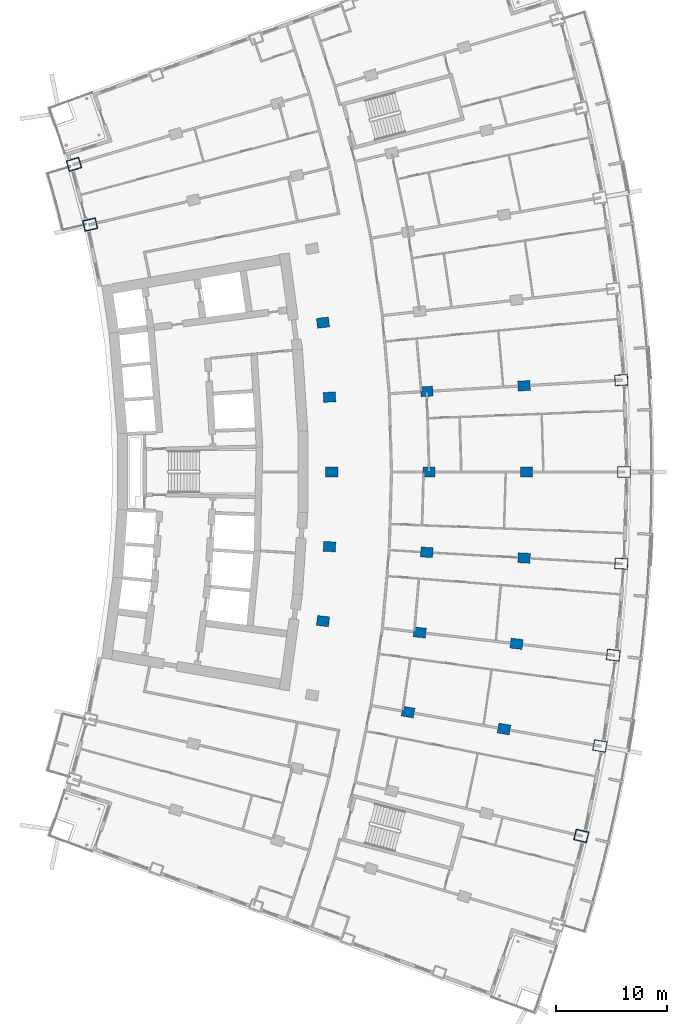
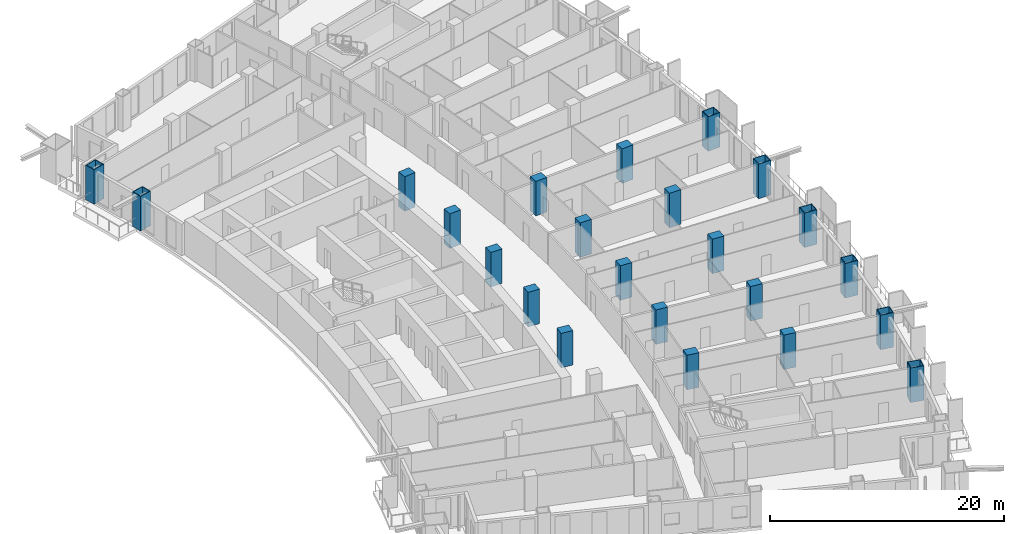
# One storey, part 5 of 23: 23 columns.
"""IFC4 building model written with IfcOpenShell, lengths in metres."""

from ifc_helpers import new_model, si_unit, direction, frame, origin, origin_2d, place, context, subcontext, project, spatial, rectangle, hollow_rectangle, extrude, material, material_profile, profile_set, type_object, element, save


model = new_model("IFC4")

# Units and contexts
model_context = context("Model", 3, precision=1e-05, world=origin(), true_north=direction((0.0, 1.0)))
body_context = subcontext(model_context, "Body", "Model", "MODEL_VIEW")
ifc_project = project(units=[si_unit("LENGTHUNIT", "METRE"), si_unit("AREAUNIT", "SQUARE_METRE"), si_unit("VOLUMEUNIT", "CUBIC_METRE"), si_unit("PLANEANGLEUNIT", "RADIAN"), si_unit("MASSUNIT", "GRAM", prefix="KILO")], contexts=[model_context])

# Site, building, storey
site_placement = place(None, origin())
site = spatial("IfcSite", under=ifc_project, at=site_placement, CompositionType="ELEMENT")
building_placement = place(site_placement, origin())
building = spatial("IfcBuilding", under=site, at=building_placement, Name="Alderwake Tower", CompositionType="ELEMENT")
storey_placement = place(building_placement, frame((0.0, 0.0, 71.60009765625)))
storey = spatial("IfcBuildingStorey", under=building, at=storey_placement, Name="L17", CompositionType="ELEMENT", Elevation=71.60009765625)

# Columns
ifc_material_1 = material(Name="Concrete C70/85", Category="concrete")
ifc_material_profile_1 = material_profile(ifc_material_1, rectangle(XDim=0.89990234375, YDim=1.10009765625, at=origin_2d()), Name="RC 1100X900")
ifc_profile_set_1 = profile_set([ifc_material_profile_1], Name="Concrete C70/85")
column_type_1 = type_object("IfcColumnType", Name="Interior column Z1", PredefinedType="COLUMN", material=ifc_profile_set_1)
for number, where, z_axis, x_axis, name in (
    (1, (42.697021484375, 39.30615234375, 0.0), (0.0, 0.0, 1.0), (0.174108800747, 0.984726421654, 0.0), "Column R04-C3"),
    (2, (51.362548828125, 37.77392578125, 0.0), (0.0, 0.0, 1.0), (0.174108800747, 0.984726421654, 0.0), "Column R04-C4"),
    (3, (35.0126953125, 47.5205078125, 0.0), (0.0, 0.0, 1.0), (0.116402054316, 0.993202175668, 0.0), "Column R05-C2"),
    (4, (43.7529296875, 46.496337890625, 0.0), (0.0, 0.0, 1.0), (0.116402054316, 0.993202175668, 0.0), "Column R05-C3"),
    (5, (52.4931640625, 45.471923828125, 0.0), (0.0, 0.0, 1.0), (0.116402054316, 0.993202175668, 0.0), "Column R05-C4"),
    (6, (35.60302734375, 54.248779296875, 0.0), (0.0, 0.0, 1.0), (0.058301061284, 0.998299046505, 0.0), "Column R06-C2"),
    (7, (44.38818359375, 53.73583984375, 0.0), (0.0, 0.0, 1.0), (0.058299318924, 0.998299148258, 0.0), "Column R06-C3"),
    (8, (53.173095703125, 53.22265625, 0.0), (0.0, 0.0, 1.0), (0.058301061284, 0.998299046505, 0.0), "Column R06-C4"),
    (9, (35.800048828125, 61.0, 0.0), (0.0, 0.0, 1.0), (0.0, 1.0, 0.0), "Column R07-C2"),
    (10, (44.60009765625, 61.0, 0.0), (0.0, 0.0, 1.0), (0.0, 1.0, 0.0), "Column R07-C3"),
    (11, (53.39990234375, 61.0, 0.0), (0.0, 0.0, 1.0), (0.0, 1.0, 0.0), "Column R07-C4"),
    (12, (35.60302734375, 67.751220703125, 0.0), (0.0, 0.0, 1.0), (-0.058301061284, 0.998299046505, 0.0), "Column R08-C2"),
    (13, (44.38818359375, 68.26416015625, 0.0), (0.0, 0.0, 1.0), (-0.058299318924, 0.998299148258, 0.0), "Column R08-C3"),
    (14, (53.173095703125, 68.77734375, 0.0), (0.0, 0.0, 1.0), (-0.058301061284, 0.998299046505, 0.0), "Column R08-C4"),
    (15, (35.0126953125, 74.4794921875, 0.0), (0.0, 0.0, 1.0), (-0.116402054316, 0.993202175668, 0.0), "Column R09-C2"),
):
    element("IfcColumn", number, at=place(storey_placement, frame(where, z_axis=z_axis, x_axis=x_axis)), inside=storey, type_object=column_type_1, Name=name, PredefinedType="COLUMN", context=body_context, shape_type="SweptSolid", body=[
        extrude(rectangle(XDim=0.89990234375, YDim=1.10009765625, at=origin_2d()), origin(), (0.0, 0.0, 1.0), 3.599853515625),
    ])
ifc_material_2 = material(Name="Steel ASTM A572 Grade 50 concrete filled C70/85", Category="concrete")
ifc_material_profile_2 = material_profile(ifc_material_2, hollow_rectangle(XDim=1.0, YDim=1.199951171875, WallThickness=0.06005859375, at=origin_2d()), Name="BOX 1200X1000X60")
ifc_profile_set_2 = profile_set([ifc_material_profile_2], Name="Steel ASTM A572 Grade 50 concrete filled C70/85")
column_type_2 = type_object("IfcColumnType", Name="Perimeter column Z1", PredefinedType="COLUMN", material=ifc_profile_set_2)
for number, where, z_axis, x_axis, name in (
    (16, (58.346435546875, 28.120361328125, 0.0), (0.0, 0.0, 1.0), (0.231221547198, 0.972901123502, 0.0), "Column R03-C5"),
    (17, (60.028076171875, 36.24169921875, 0.0), (0.0, 0.0, 1.0), (0.174108800747, 0.984726421654, 0.0), "Column R04-C5"),
    (18, (61.2333984375, 44.447509765625, 0.0), (0.0, 0.0, 1.0), (0.116402054316, 0.993202175668, 0.0), "Column R05-C5"),
    (19, (61.9580078125, 52.709716796875, 0.0), (0.0, 0.0, 1.0), (0.058301061284, 0.998299046505, 0.0), "Column R06-C5"),
    (20, (62.199951171875, 61.0, 0.0), (0.0, 0.0, 1.0), (0.0, 1.0, 0.0), "Column R07-C5"),
    (21, (61.9580078125, 69.290283203125, 0.0), (0.0, 0.0, 1.0), (-0.058301061284, 0.998299046505, 0.0), "Column R08-C5"),
    (22, (13.982177734375, 83.3359375, 0.0), (0.0, 0.0, 1.0), (-0.231221547198, 0.972901123502, 0.0), "Column R11-C0"),
    (23, (12.520263671875, 88.777099609375, 0.0), (0.0, 0.0, 1.0), (-0.287549418125, 0.957765802342, 0.0), "Column R12-C0"),
):
    element("IfcColumn", number, at=place(storey_placement, frame(where, z_axis=z_axis, x_axis=x_axis)), inside=storey, type_object=column_type_2, Name=name, PredefinedType="COLUMN", context=body_context, shape_type="SweptSolid", body=[
        extrude(hollow_rectangle(XDim=1.0, YDim=1.199951171875, WallThickness=0.06005859375, at=origin_2d()), origin(), (0.0, 0.0, 1.0), 3.599853515625),
    ])

save(model, "model.ifc")
